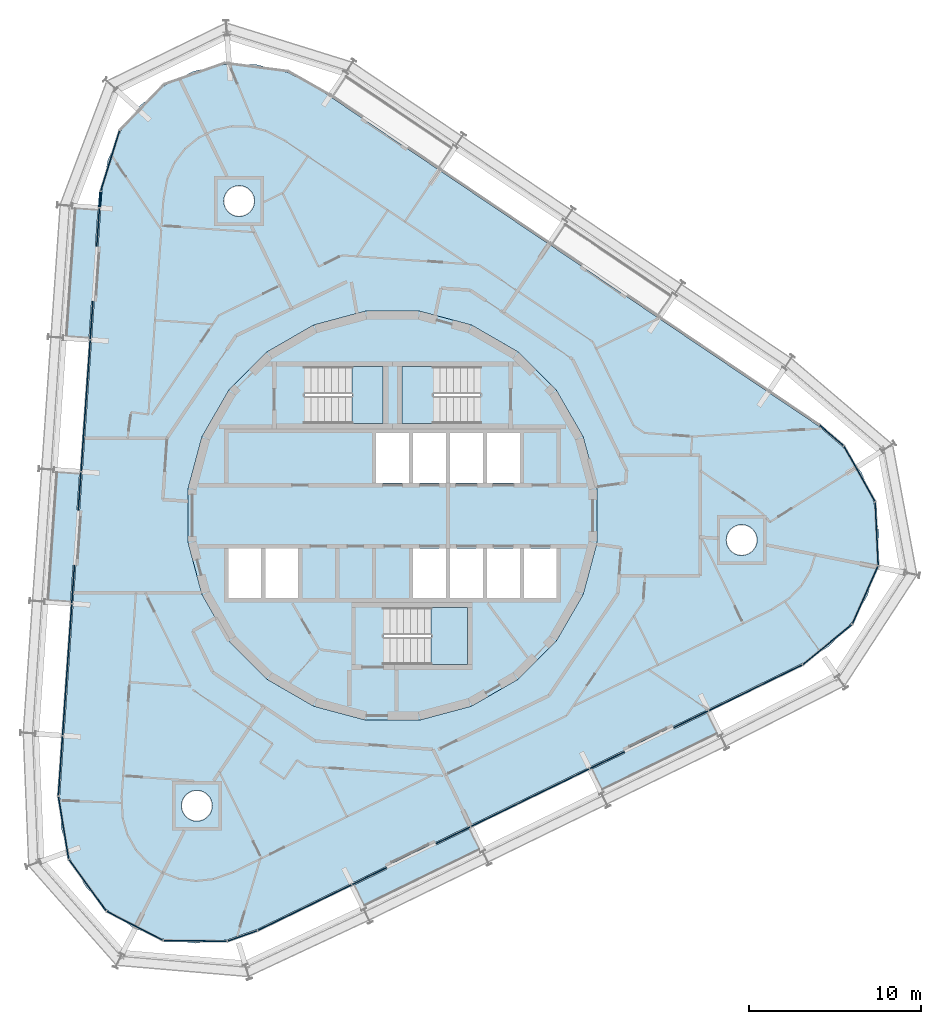
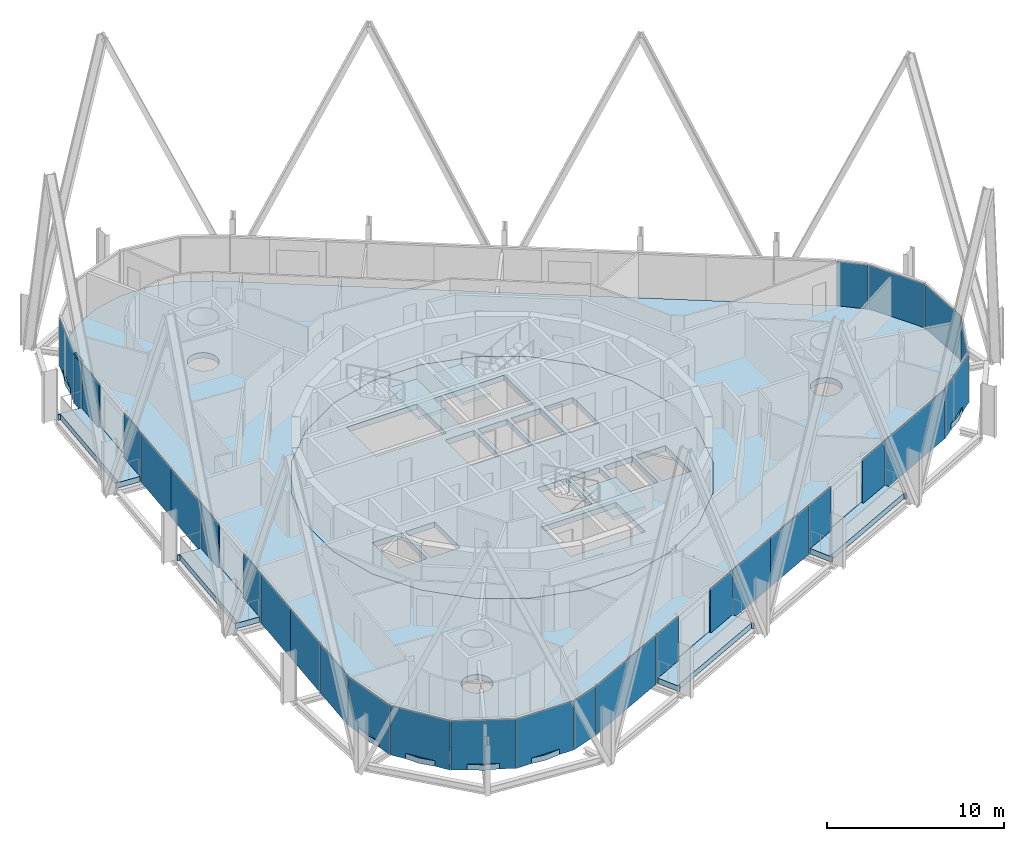
# One storey, part 10 of 18: 29 plates, 9 slabs, 1 member, 8 elements without a shape of their own.
"""IFC4 building model written with IfcOpenShell, lengths in metres."""

from ifc_helpers import new_model, si_unit, direction, frame, origin, origin_2d, place, context, subcontext, project, spatial, polyline, rectangle, outline, extrude, material, layer, layer_set, material_profile, profile_set, type_object, element, aggregate, save


model = new_model("IFC4")

# Units and contexts
model_context = context("Model", 3, precision=1e-05, world=origin(), true_north=direction((0.0, 1.0)))
body_context = subcontext(model_context, "Body", "Model", "MODEL_VIEW")
ifc_project = project(units=[si_unit("LENGTHUNIT", "METRE"), si_unit("AREAUNIT", "SQUARE_METRE"), si_unit("VOLUMEUNIT", "CUBIC_METRE"), si_unit("PLANEANGLEUNIT", "RADIAN"), si_unit("MASSUNIT", "GRAM", prefix="KILO")], contexts=[model_context])

# Site, building, storey
site_placement = place(None, origin())
site = spatial("IfcSite", under=ifc_project, at=site_placement, CompositionType="ELEMENT")
building_placement = place(site_placement, origin())
building = spatial("IfcBuilding", under=site, at=building_placement, Name="Spindle Arch Residences", CompositionType="ELEMENT")
storey_placement = place(building_placement, frame((0.0, 0.0, 202.39990234375)))
storey = spatial("IfcBuildingStorey", under=building, at=storey_placement, Name="L51", CompositionType="ELEMENT", Elevation=202.39990234375)

# Curtain wall, member
ifc_material_1 = material(Name="Aluminium bronze unitised frame with tinted glass", Category="aluminium")
ifc_layer_1 = layer(ifc_material_1, 0.159912109375)
ifc_layer_set_1 = layer_set([ifc_layer_1], Name="CW-D corner wall on the fillet arcs")
curtain_wall_type_1 = type_object("IfcCurtainWallType", Name="CW-D corner wall on the fillet arcs", PredefinedType="NOTDEFINED", material=ifc_layer_set_1)
curtain_wall_1_placement = place(storey_placement, origin())
curtain_wall_1 = element("IfcCurtainWall", 1, at=curtain_wall_1_placement, inside=storey, type_object=curtain_wall_type_1, Name="CW-D L51 run 3", PredefinedType="NOTDEFINED")
ifc_material_2 = material(Name="Aluminium bronze anodised transom", Category="aluminium")
ifc_material_profile = material_profile(ifc_material_2, rectangle(XDim=0.159912109375, YDim=0.1201171875, at=origin_2d()), Name="TR 120x160")
ifc_profile_set = profile_set([ifc_material_profile], Name="Aluminium bronze anodised transom")
member_type = type_object("IfcMemberType", Name="Bronze transom 120x160", PredefinedType="USERDEFINED", material=ifc_profile_set)
member_placement = place(storey_placement, frame((-16.98828125, 18.83447265625, 3.06005859375), z_axis=(-0.069692035463, -0.997568554132, 0.0), x_axis=(0.997568554132, -0.069692035463, 0.0)))
member = element("IfcMember", 2, at=member_placement, type_object=member_type, Name="CW-D transom 05", ObjectType="TRANSOM", PredefinedType="USERDEFINED", context=body_context, shape_type="SweptSolid", body=[
    extrude(rectangle(XDim=0.159912109375, YDim=0.1201171875, at=origin_2d()), origin(), (0.0, 0.0, 1.0), 0.90380859375),
])

# Slabs
ifc_material_3 = material(Name="Concrete C40/50", Category="concrete")
ifc_layer_2 = layer(ifc_material_3, 0.3798828125)
ifc_layer_set_2 = layer_set([ifc_layer_2], Name="Balcony slab 380")
slab_type_1 = type_object("IfcSlabType", Name="Balcony slab 380", PredefinedType="FLOOR", material=ifc_layer_set_2)
slab_1_placement = place(storey_placement, frame((0.0, 0.0, -0.3798828125)))
element("IfcSlab", 3, at=slab_1_placement, inside=storey, type_object=slab_type_1, Name="Balcony L51 bay 1", PredefinedType="FLOOR", context=body_context, shape_type="SweptSolid", body=[
    extrude(outline(polyline([(12.21826171875, -16.1044921875), (12.28564453125, -16.07177734375), (12.2197265625, -15.936767578125), (18.865234375, -12.695556640625), (18.930908203125, -12.83056640625), (18.99853515625, -12.797607421875), (18.34521484375, -11.45849609375), (16.393310546875, -12.410400390625), (16.322998046875, -12.2666015625), (13.447021484375, -13.66943359375), (13.51708984375, -13.813232421875), (11.56494140625, -14.765380859375), (12.21826171875, -16.1044921875)])), origin(), (0.0, 0.0, 1.0), 0.3798828125),
])
slab_2_placement = place(storey_placement, frame((0.0, 0.0, -0.3798828125)))
element("IfcSlab", 4, at=slab_2_placement, inside=storey, type_object=slab_type_1, Name="Balcony L51 bay 13", PredefinedType="FLOOR", context=body_context, shape_type="SweptSolid", body=[
    extrude(outline(polyline([(-18.624755859375, 17.9375), (-18.630126953125, 17.86279296875), (-18.48046875, 17.852294921875), (-18.996337890625, 10.4765625), (-19.145751953125, 10.487060546875), (-19.151123046875, 10.412353515625), (-17.664794921875, 10.308349609375), (-17.51318359375, 12.474853515625), (-17.353515625, 12.4638671875), (-17.13037109375, 15.656005859375), (-17.2900390625, 15.6669921875), (-17.138427734375, 17.833740234375), (-18.624755859375, 17.9375)])), origin(), (0.0, 0.0, 1.0), 0.3798828125),
])
slab_3_placement = place(storey_placement, frame((0.0, 0.0, -0.3798828125)))
element("IfcSlab", 5, at=slab_3_placement, inside=storey, type_object=slab_type_1, Name="Balcony L51 bay 15", PredefinedType="FLOOR", context=body_context, shape_type="SweptSolid", body=[
    extrude(outline(polyline([(-19.6982421875, 2.587646484375), (-19.703369140625, 2.512939453125), (-19.553955078125, 2.50244140625), (-20.069580078125, -4.873291015625), (-20.21923828125, -4.86279296875), (-20.224365234375, -4.937744140625), (-18.738037109375, -5.04150390625), (-18.586669921875, -2.875), (-18.427001953125, -2.88623046875), (-18.203857421875, 0.305908203125), (-18.36328125, 0.317138671875), (-18.2119140625, 2.483642578125), (-19.6982421875, 2.587646484375)])), origin(), (0.0, 0.0, 1.0), 0.3798828125),
])
slab_4_placement = place(storey_placement, frame((0.0, 0.0, -0.3798828125)))
element("IfcSlab", 6, at=slab_4_placement, inside=storey, type_object=slab_type_1, Name="Balcony L51 bay 21", PredefinedType="FLOOR", context=body_context, shape_type="SweptSolid", body=[
    extrude(outline(polyline([(-1.612060546875, -22.849853515625), (-1.54443359375, -22.817138671875), (-1.6103515625, -22.68212890625), (5.03515625, -19.441162109375), (5.100830078125, -19.575927734375), (5.168212890625, -19.54296875), (4.51513671875, -18.203857421875), (2.56298828125, -19.15576171875), (2.492919921875, -19.011962890625), (-0.38330078125, -20.414794921875), (-0.31298828125, -20.55859375), (-2.26513671875, -21.5107421875), (-1.612060546875, -22.849853515625)])), origin(), (0.0, 0.0, 1.0), 0.3798828125),
])
ifc_material_4 = material(Name="Concrete C50/60", Category="concrete")
ifc_layer_3 = layer(ifc_material_4, 0.3798828125)
ifc_layer_set_3 = layer_set([ifc_layer_3], Name="Core floor slab 380")
slab_type_2 = type_object("IfcSlabType", Name="Core floor slab 380", PredefinedType="FLOOR", material=ifc_layer_set_3)
slab_5_placement = place(storey_placement, frame((0.0, 0.0, -0.3798828125)))
element("IfcSlab", 7, at=slab_5_placement, inside=storey, type_object=slab_type_2, Name="Core floor L51", PredefinedType="FLOOR", context=body_context, shape_type="SweptSolid", body=[
    extrude(outline(polyline([(1.56640625, -11.897216796875), (4.59228515625, -11.086669921875), (7.30517578125, -9.520263671875), (9.520263671875, -7.30517578125), (11.086669921875, -4.59228515625), (11.897216796875, -1.56640625), (11.897216796875, 1.56640625), (11.086669921875, 4.59228515625), (9.520263671875, 7.30517578125), (7.30517578125, 9.520263671875), (4.59228515625, 11.086669921875), (1.56640625, 11.897216796875), (-1.56640625, 11.897216796875), (-4.59228515625, 11.086669921875), (-7.30517578125, 9.520263671875), (-9.520263671875, 7.30517578125), (-11.086669921875, 4.59228515625), (-11.897216796875, 1.56640625), (-11.897216796875, -1.56640625), (-11.086669921875, -4.59228515625), (-9.520263671875, -7.30517578125), (-7.30517578125, -9.520263671875), (-4.59228515625, -11.086669921875), (-1.56640625, -11.897216796875), (1.56640625, -11.897216796875)]), holes=[polyline([(-0.949951171875, 1.89990234375), (0.949951171875, 1.89990234375), (0.949951171875, 4.800048828125), (-0.949951171875, 4.800048828125), (-0.949951171875, 1.89990234375)]), polyline([(1.199951171875, 1.89990234375), (3.10009765625, 1.89990234375), (3.10009765625, 4.800048828125), (1.199951171875, 4.800048828125), (1.199951171875, 1.89990234375)]), polyline([(3.35009765625, 1.89990234375), (5.25, 1.89990234375), (5.25, 4.800048828125), (3.35009765625, 4.800048828125), (3.35009765625, 1.89990234375)]), polyline([(5.5, 1.89990234375), (7.39990234375, 1.89990234375), (7.39990234375, 4.800048828125), (5.5, 4.800048828125), (5.5, 1.89990234375)]), polyline([(-9.550048828125, -4.800048828125), (-7.64990234375, -4.800048828125), (-7.64990234375, -1.89990234375), (-9.550048828125, -1.89990234375), (-9.550048828125, -4.800048828125)]), polyline([(-7.39990234375, -4.800048828125), (-5.5, -4.800048828125), (-5.5, -1.89990234375), (-7.39990234375, -1.89990234375), (-7.39990234375, -4.800048828125)]), polyline([(1.199951171875, -4.800048828125), (3.10009765625, -4.800048828125), (3.10009765625, -1.89990234375), (1.199951171875, -1.89990234375), (1.199951171875, -4.800048828125)]), polyline([(3.35009765625, -4.800048828125), (5.25, -4.800048828125), (5.25, -1.89990234375), (3.35009765625, -1.89990234375), (3.35009765625, -4.800048828125)]), polyline([(5.5, -4.800048828125), (7.39990234375, -4.800048828125), (7.39990234375, -1.89990234375), (5.5, -1.89990234375), (5.5, -4.800048828125)]), polyline([(7.64990234375, -4.800048828125), (9.550048828125, -4.800048828125), (9.550048828125, -1.89990234375), (7.64990234375, -1.89990234375), (7.64990234375, -4.800048828125)]), polyline([(5.1298828125, 8.669921875), (0.550048828125, 8.669921875), (0.550048828125, 5.35009765625), (5.1298828125, 5.35009765625), (5.1298828125, 8.669921875)]), polyline([(-5.1298828125, 5.35009765625), (-0.550048828125, 5.35009765625), (-0.550048828125, 8.669921875), (-5.1298828125, 8.669921875), (-5.1298828125, 5.35009765625)]), polyline([(-0.530029296875, -8.669921875), (4.35009765625, -8.669921875), (4.35009765625, -5.35009765625), (-0.530029296875, -5.35009765625), (-0.530029296875, -8.669921875)])]), origin(), (0.0, 0.0, 1.0), 0.3798828125),
])

# Stair, slab
ifc_material_5 = material(Name="Concrete C50/60", Category="concrete")
stair_type = type_object("IfcStairType", Name="Exit stair 16 risers", PredefinedType="HALF_TURN_STAIR", material=ifc_material_5)
stair_1_placement = place(storey_placement, origin())
stair_1 = element("IfcStair", 8, at=stair_1_placement, inside=storey, type_object=stair_type, Name="L51 Exit stair ST1", PredefinedType="HALF_TURN_STAIR")
ifc_material_6 = material(Name="Concrete C50/60", Category="concrete")
ifc_layer_4 = layer(ifc_material_6, 0.219970703125)
ifc_layer_set_4 = layer_set([ifc_layer_4], Name="Exit stair landing 220")
slab_type_3 = type_object("IfcSlabType", Name="Exit stair landing 220", PredefinedType="LANDING", material=ifc_layer_set_4)
slab_6_placement = place(storey_placement, frame((0.0, 0.0, 1.530029296875)))
slab_6 = element("IfcSlab", 9, at=slab_6_placement, type_object=slab_type_3, Name="ST1 landing 1", PredefinedType="LANDING", context=body_context, shape_type="SweptSolid", body=[
    extrude(outline(polyline([(2.3701171875, 8.669921875), (0.550048828125, 8.669921875), (0.550048828125, 5.35009765625), (2.3701171875, 5.35009765625), (2.3701171875, 8.669921875)])), origin(), (0.0, 0.0, 1.0), 0.219970703125),
])
aggregate(stair_1, [slab_6])

stair_2_placement = place(storey_placement, origin())
stair_2 = element("IfcStair", 10, at=stair_2_placement, inside=storey, type_object=stair_type, Name="L51 Exit stair ST2", PredefinedType="HALF_TURN_STAIR")
slab_7_placement = place(storey_placement, frame((0.0, 0.0, 1.530029296875)))
slab_7 = element("IfcSlab", 11, at=slab_7_placement, type_object=slab_type_3, Name="ST2 landing 1", PredefinedType="LANDING", context=body_context, shape_type="SweptSolid", body=[
    extrude(outline(polyline([(-2.3701171875, 5.35009765625), (-0.550048828125, 5.35009765625), (-0.550048828125, 8.669921875), (-2.3701171875, 8.669921875), (-2.3701171875, 5.35009765625)])), origin(), (0.0, 0.0, 1.0), 0.219970703125),
])
aggregate(stair_2, [slab_7])

stair_3_placement = place(storey_placement, origin())
stair_3 = element("IfcStair", 12, at=stair_3_placement, inside=storey, type_object=stair_type, Name="L51 Exit stair ST3", PredefinedType="HALF_TURN_STAIR")
slab_8_placement = place(storey_placement, frame((0.0, 0.0, 1.530029296875)))
slab_8 = element("IfcSlab", 13, at=slab_8_placement, type_object=slab_type_3, Name="ST3 landing 1", PredefinedType="LANDING", context=body_context, shape_type="SweptSolid", body=[
    extrude(outline(polyline([(2.22998046875, -8.669921875), (4.35009765625, -8.669921875), (4.35009765625, -5.35009765625), (2.22998046875, -5.35009765625), (2.22998046875, -8.669921875)])), origin(), (0.0, 0.0, 1.0), 0.219970703125),
])
aggregate(stair_3, [slab_8])

# Slab
ifc_material_7 = material(Name="Concrete C40/50", Category="concrete")
ifc_layer_5 = layer(ifc_material_7, 0.3798828125)
ifc_layer_set_5 = layer_set([ifc_layer_5], Name="Floor slab 380")
slab_type_4 = type_object("IfcSlabType", Name="Floor slab 380", PredefinedType="FLOOR", material=ifc_layer_set_5)
slab_9_placement = place(storey_placement, frame((0.0, 0.0, -0.3798828125)))
element("IfcSlab", 14, at=slab_9_placement, inside=storey, type_object=slab_type_4, Name="Floor slab L51", PredefinedType="FLOOR", context=body_context, shape_type="SweptSolid", body=[
    extrude(outline(polyline([(-9.6318359375, -24.685791015625), (-11.47900390625, -24.8798828125), (-13.3212890625, -24.642822265625), (-15.059326171875, -23.9873046875), (-16.599365234375, -22.948486328125), (-17.858154296875, -21.582763671875), (-18.76806640625, -19.96337890625), (-19.280029296875, -18.177978515625), (-19.366455078125, -16.322509765625), (-16.906494140625, 18.85888671875), (-16.5625, 20.684326171875), (-15.80712890625, 22.381103515625), (-14.6806640625, 23.858154296875), (-13.243896484375, 25.035400390625), (-11.574462890625, 25.849609375), (-9.76220703125, 26.257080078125), (-7.90478515625, 26.2353515625), (-6.1025390625, 25.785888671875), (-4.452392578125, 24.93310546875), (24.785400390625, 5.2119140625), (26.1943359375, 4.00146484375), (27.2861328125, 2.498779296875), (28.001953125, 0.784912109375), (28.30322265625, -1.048095703125), (28.173583984375, -2.901123046875), (27.620361328125, -4.67431640625), (26.6728515625, -6.27197265625), (25.382568359375, -7.608154296875), (23.81884765625, -8.610595703125), (7.969970703125, -16.3408203125), (-7.87890625, -24.07080078125), (-9.6318359375, -24.685791015625)]), holes=[polyline([(7.30517578125, -9.520263671875), (9.520263671875, -7.30517578125), (11.086669921875, -4.59228515625), (11.897216796875, -1.56640625), (11.897216796875, 1.56640625), (11.086669921875, 4.59228515625), (9.520263671875, 7.30517578125), (7.30517578125, 9.520263671875), (4.59228515625, 11.086669921875), (1.56640625, 11.897216796875), (-1.56640625, 11.897216796875), (-4.59228515625, 11.086669921875), (-7.30517578125, 9.520263671875), (-9.520263671875, 7.30517578125), (-11.086669921875, 4.59228515625), (-11.897216796875, 1.56640625), (-11.897216796875, -1.56640625), (-11.086669921875, -4.59228515625), (-9.520263671875, -7.30517578125), (-7.30517578125, -9.520263671875), (-4.59228515625, -11.086669921875), (-1.56640625, -11.897216796875), (1.56640625, -11.897216796875), (4.59228515625, -11.086669921875), (7.30517578125, -9.520263671875)]), polyline([(-10.6376953125, -17.380615234375), (-10.554443359375, -17.224853515625), (-10.50341796875, -17.05615234375), (-10.486083984375, -16.880615234375), (-10.50341796875, -16.704833984375), (-10.554443359375, -16.5361328125), (-10.6376953125, -16.380615234375), (-10.74951171875, -16.244140625), (-10.885986328125, -16.132080078125), (-11.04150390625, -16.049072265625), (-11.21044921875, -15.997802734375), (-11.385986328125, -15.98046875), (-11.5615234375, -15.997802734375), (-11.73046875, -16.049072265625), (-11.885986328125, -16.132080078125), (-12.0224609375, -16.244140625), (-12.13427734375, -16.380615234375), (-12.217529296875, -16.5361328125), (-12.268798828125, -16.704833984375), (-12.285888671875, -16.880615234375), (-12.268798828125, -17.05615234375), (-12.217529296875, -17.224853515625), (-12.13427734375, -17.380615234375), (-12.0224609375, -17.516845703125), (-11.885986328125, -17.62890625), (-11.73046875, -17.7119140625), (-11.5615234375, -17.76318359375), (-11.385986328125, -17.780517578125), (-11.21044921875, -17.76318359375), (-11.04150390625, -17.7119140625), (-10.885986328125, -17.62890625), (-10.74951171875, -17.516845703125), (-10.6376953125, -17.380615234375)]), polyline([(-8.177490234375, 17.80078125), (-8.094482421875, 17.956298828125), (-8.043212890625, 18.125244140625), (-8.02587890625, 18.30078125), (-8.043212890625, 18.476318359375), (-8.094482421875, 18.645263671875), (-8.177490234375, 18.80078125), (-8.28955078125, 18.937255859375), (-8.42578125, 19.049072265625), (-8.58154296875, 19.13232421875), (-8.750244140625, 19.18359375), (-8.92578125, 19.20068359375), (-9.1015625, 19.18359375), (-9.270263671875, 19.13232421875), (-9.42578125, 19.049072265625), (-9.562255859375, 18.937255859375), (-9.67431640625, 18.80078125), (-9.75732421875, 18.645263671875), (-9.80859375, 18.476318359375), (-9.825927734375, 18.30078125), (-9.80859375, 18.125244140625), (-9.75732421875, 17.956298828125), (-9.67431640625, 17.80078125), (-9.562255859375, 17.664306640625), (-9.42578125, 17.552490234375), (-9.270263671875, 17.46923828125), (-9.1015625, 17.418212890625), (-8.92578125, 17.40087890625), (-8.750244140625, 17.418212890625), (-8.58154296875, 17.46923828125), (-8.42578125, 17.552490234375), (-8.28955078125, 17.664306640625), (-8.177490234375, 17.80078125)]), polyline([(20.9482421875, -2.056640625), (21.060302734375, -1.92041015625), (21.143310546875, -1.7646484375), (21.194580078125, -1.595947265625), (21.2119140625, -1.42041015625), (21.194580078125, -1.24462890625), (21.143310546875, -1.075927734375), (21.060302734375, -0.92041015625), (20.9482421875, -0.783935546875), (20.81201171875, -0.672119140625), (20.65625, -0.5888671875), (20.487548828125, -0.53759765625), (20.31201171875, -0.520263671875), (20.13623046875, -0.53759765625), (19.967529296875, -0.5888671875), (19.81201171875, -0.672119140625), (19.675537109375, -0.783935546875), (19.563720703125, -0.92041015625), (19.48046875, -1.075927734375), (19.42919921875, -1.24462890625), (19.411865234375, -1.42041015625), (19.42919921875, -1.595947265625), (19.48046875, -1.7646484375), (19.563720703125, -1.92041015625), (19.675537109375, -2.056640625), (19.81201171875, -2.168701171875), (19.967529296875, -2.251708984375), (20.13623046875, -2.302978515625), (20.31201171875, -2.3203125), (20.487548828125, -2.302978515625), (20.65625, -2.251708984375), (20.81201171875, -2.168701171875), (20.9482421875, -2.056640625)])]), origin(), (0.0, 0.0, 1.0), 0.3798828125),
])

# Curtain wall, plates
curtain_wall_2_placement = place(storey_placement, origin())
curtain_wall_2 = element("IfcCurtainWall", 15, at=curtain_wall_2_placement, inside=storey, type_object=curtain_wall_type_1, Name="CW-D L51 run 1", PredefinedType="NOTDEFINED")
ifc_material_8 = material(Name="Tinted double glazing over aluminium faced non-combustible spandrel zone (K0)", Category="aluminium")
ifc_layer_6 = layer(ifc_material_8, 0.06005859375)
ifc_layer_set_6 = layer_set([ifc_layer_6], Name="Unitised glass panel with E 60 spandrel zone")
plate_type = type_object("IfcPlateType", Name="Unitised glass panel with E 60 spandrel zone", PredefinedType="CURTAIN_PANEL", material=ifc_layer_set_6)
plate_1_placement = place(storey_placement, frame((21.11572265625, -10.01806640625, -0.3798828125), z_axis=(0.0, 0.0, 1.0), x_axis=(0.898794046299, 0.438371146789, 0.0)))
plate_1 = element("IfcPlate", 16, at=plate_1_placement, type_object=plate_type, Name="CW-D unit 00", PredefinedType="CURTAIN_PANEL", context=body_context, shape_type="SweptSolid", body=[
    extrude(rectangle(XDim=6.032958984375, YDim=0.06005859375, at=origin_2d()), origin(), (0.0, 0.0, 1.0), 3.3798828125),
])
plate_2_placement = place(storey_placement, frame((25.295166015625, -7.50146484375, -0.3798828125), z_axis=(0.0, 0.0, 1.0), x_axis=(0.773471595747, 0.633830963722, 0.0)))
plate_2 = element("IfcPlate", 17, at=plate_2_placement, type_object=plate_type, Name="CW-D unit 01", PredefinedType="CURTAIN_PANEL", context=body_context, shape_type="SweptSolid", body=[
    extrude(rectangle(XDim=3.666748046875, YDim=0.06005859375, at=origin_2d()), origin(), (0.0, 0.0, 1.0), 3.3798828125),
])
plate_3_placement = place(storey_placement, frame((27.494384765625, -4.6181640625, -0.3798828125), z_axis=(0.0, 0.0, 1.0), x_axis=(0.406736642422, 0.913545457934, 0.0)))
plate_3 = element("IfcPlate", 18, at=plate_3_placement, type_object=plate_type, Name="CW-D unit 02", PredefinedType="CURTAIN_PANEL", context=body_context, shape_type="SweptSolid", body=[
    extrude(rectangle(XDim=3.666748046875, YDim=0.06005859375, at=origin_2d()), origin(), (0.0, 0.0, 1.0), 3.3798828125),
])
plate_4_placement = place(storey_placement, frame((28.16552734375, -1.054443359375, -0.3798828125), z_axis=(0.0, 0.0, 1.0), x_axis=(-0.046525313877, 0.99891711126, 0.0)))
plate_4 = element("IfcPlate", 19, at=plate_4_placement, type_object=plate_type, Name="CW-D unit 03", PredefinedType="CURTAIN_PANEL", context=body_context, shape_type="SweptSolid", body=[
    extrude(rectangle(XDim=3.666748046875, YDim=0.06005859375, at=origin_2d()), origin(), (0.0, 0.0, 1.0), 3.3798828125),
])
plate_5_placement = place(storey_placement, frame((27.166015625, 2.43115234375, -0.3798828125), z_axis=(0.0, 0.0, 1.0), x_axis=(-0.489889716377, 0.871784414743, 0.0)))
plate_5 = element("IfcPlate", 20, at=plate_5_placement, type_object=plate_type, Name="CW-D unit 04", PredefinedType="CURTAIN_PANEL", context=body_context, shape_type="SweptSolid", body=[
    extrude(rectangle(XDim=3.666748046875, YDim=0.06005859375, at=origin_2d()), origin(), (0.0, 0.0, 1.0), 3.3798828125),
])
plate_6_placement = place(storey_placement, frame((25.541748046875, 4.6669921875, -0.3798828125), z_axis=(0.0, 0.0, 1.0), x_axis=(-0.758513582867, 0.651657229382, 0.0)))
plate_6 = element("IfcPlate", 21, at=plate_6_placement, type_object=plate_type, Name="CW-D unit 05", PredefinedType="CURTAIN_PANEL", context=body_context, shape_type="SweptSolid", body=[
    extrude(rectangle(XDim=1.816162109375, YDim=0.06005859375, at=origin_2d()), origin(), (0.0, 0.0, 1.0), 3.3798828125),
])
aggregate(curtain_wall_2, [plate_1, plate_2, plate_3, plate_4, plate_5, plate_6])

# Plate
plate_7_placement = place(storey_placement, frame((-16.43115234375, 20.643310546875, -0.3798828125), z_axis=(0.0, 0.0, 1.0), x_axis=(-0.297930275218, -0.954587634064, 0.0)))
plate_7 = element("IfcPlate", 22, at=plate_7_placement, type_object=plate_type, Name="CW-D unit 04", PredefinedType="CURTAIN_PANEL", context=body_context, shape_type="SweptSolid", body=[
    extrude(rectangle(XDim=3.666748046875, YDim=0.06005859375, at=origin_2d()), origin(), (0.0, 0.0, 1.0), 3.3798828125),
])

plate_8_placement = place(storey_placement, frame((-17.019775390625, 18.3837890625, -0.3798828125), z_axis=(0.0, 0.0, 1.0), x_axis=(-0.069756473744, -0.99756405026, 0.0)))
plate_8 = element("IfcPlate", 23, at=plate_8_placement, type_object=plate_type, Name="CW-D unit 05", PredefinedType="CURTAIN_PANEL", context=body_context, shape_type="SweptSolid", body=[
    extrude(rectangle(XDim=0.90380859375, YDim=0.06005859375, at=origin_2d()), origin(), (0.0, 0.0, 1.0), 3.3798828125),
])

aggregate(curtain_wall_1, [plate_7, member, plate_8])

# Curtain wall, plates
ifc_material_9 = material(Name="Aluminium bronze unitised frame with tinted glass", Category="aluminium")
ifc_layer_7 = layer(ifc_material_9, 0.159912109375)
ifc_layer_set_7 = layer_set([ifc_layer_7], Name="CW-C typical residential unitised wall")
curtain_wall_type_2 = type_object("IfcCurtainWallType", Name="CW-C typical residential unitised wall", PredefinedType="NOTDEFINED", material=ifc_layer_set_7)
curtain_wall_3_placement = place(storey_placement, origin())
curtain_wall_3 = element("IfcCurtainWall", 24, at=curtain_wall_3_placement, inside=storey, type_object=curtain_wall_type_2, Name="CW-C L51 run 4", PredefinedType="NOTDEFINED")
plate_9_placement = place(storey_placement, frame((-17.1328125, 16.767333984375, -0.3798828125), z_axis=(0.0, 0.0, 1.0), x_axis=(-0.069756473744, -0.99756405026, 0.0)))
plate_9 = element("IfcPlate", 25, at=plate_9_placement, type_object=plate_type, Name="CW-C unit 12L", PredefinedType="CURTAIN_PANEL", context=body_context, shape_type="SweptSolid", body=[
    extrude(rectangle(XDim=2.216796875, YDim=0.06005859375, at=origin_2d()), origin(), (0.0, 0.0, 1.0), 3.3798828125),
])
plate_10_placement = place(storey_placement, frame((-17.5107421875, 11.363525390625, -0.3798828125), z_axis=(0.0, 0.0, 1.0), x_axis=(-0.069756473744, -0.99756405026, 0.0)))
plate_10 = element("IfcPlate", 26, at=plate_10_placement, type_object=plate_type, Name="CW-C unit 12R", PredefinedType="CURTAIN_PANEL", context=body_context, shape_type="SweptSolid", body=[
    extrude(rectangle(XDim=2.216796875, YDim=0.06005859375, at=origin_2d()), origin(), (0.0, 0.0, 1.0), 3.3798828125),
])
plate_11_placement = place(storey_placement, frame((-17.725341796875, 8.294189453125, -0.3798828125), z_axis=(0.0, 0.0, 1.0), x_axis=(-0.069756473744, -0.99756405026, 0.0)))
plate_11 = element("IfcPlate", 27, at=plate_11_placement, type_object=plate_type, Name="CW-C unit 13A", PredefinedType="CURTAIN_PANEL", context=body_context, shape_type="SweptSolid", body=[
    extrude(rectangle(XDim=3.81689453125, YDim=0.06005859375, at=origin_2d()), origin(), (0.0, 0.0, 1.0), 3.3798828125),
])
plate_12_placement = place(storey_placement, frame((-17.99169921875, 4.486572265625, -0.3798828125), z_axis=(0.0, 0.0, 1.0), x_axis=(-0.069756473744, -0.99756405026, 0.0)))
plate_12 = element("IfcPlate", 28, at=plate_12_placement, type_object=plate_type, Name="CW-C unit 13B", PredefinedType="CURTAIN_PANEL", context=body_context, shape_type="SweptSolid", body=[
    extrude(rectangle(XDim=3.81689453125, YDim=0.06005859375, at=origin_2d()), origin(), (0.0, 0.0, 1.0), 3.3798828125),
])
plate_13_placement = place(storey_placement, frame((-18.206298828125, 1.417236328125, -0.3798828125), z_axis=(0.0, 0.0, 1.0), x_axis=(-0.069756473744, -0.99756405026, 0.0)))
plate_13 = element("IfcPlate", 29, at=plate_13_placement, type_object=plate_type, Name="CW-C unit 14L", PredefinedType="CURTAIN_PANEL", context=body_context, shape_type="SweptSolid", body=[
    extrude(rectangle(XDim=2.216796875, YDim=0.06005859375, at=origin_2d()), origin(), (0.0, 0.0, 1.0), 3.3798828125),
])
plate_14_placement = place(storey_placement, frame((-18.583984375, -3.986328125, -0.3798828125), z_axis=(0.0, 0.0, 1.0), x_axis=(-0.069756473744, -0.99756405026, 0.0)))
plate_14 = element("IfcPlate", 30, at=plate_14_placement, type_object=plate_type, Name="CW-C unit 14R", PredefinedType="CURTAIN_PANEL", context=body_context, shape_type="SweptSolid", body=[
    extrude(rectangle(XDim=2.216796875, YDim=0.06005859375, at=origin_2d()), origin(), (0.0, 0.0, 1.0), 3.3798828125),
])
plate_15_placement = place(storey_placement, frame((-18.798828125, -7.0556640625, -0.3798828125), z_axis=(0.0, 0.0, 1.0), x_axis=(-0.069756473744, -0.99756405026, 0.0)))
plate_15 = element("IfcPlate", 31, at=plate_15_placement, type_object=plate_type, Name="CW-C unit 15A", PredefinedType="CURTAIN_PANEL", context=body_context, shape_type="SweptSolid", body=[
    extrude(rectangle(XDim=3.81689453125, YDim=0.06005859375, at=origin_2d()), origin(), (0.0, 0.0, 1.0), 3.3798828125),
])
plate_16_placement = place(storey_placement, frame((-19.06494140625, -10.86328125, -0.3798828125), z_axis=(0.0, 0.0, 1.0), x_axis=(-0.069756473744, -0.99756405026, 0.0)))
plate_16 = element("IfcPlate", 32, at=plate_16_placement, type_object=plate_type, Name="CW-C unit 15B", PredefinedType="CURTAIN_PANEL", context=body_context, shape_type="SweptSolid", body=[
    extrude(rectangle(XDim=3.81689453125, YDim=0.06005859375, at=origin_2d()), origin(), (0.0, 0.0, 1.0), 3.3798828125),
])
aggregate(curtain_wall_3, [plate_9, plate_10, plate_11, plate_12, plate_13, plate_14, plate_15, plate_16])

curtain_wall_4_placement = place(storey_placement, origin())
curtain_wall_4 = element("IfcCurtainWall", 33, at=curtain_wall_4_placement, inside=storey, type_object=curtain_wall_type_1, Name="CW-D L51 run 5", PredefinedType="NOTDEFINED")
plate_17_placement = place(storey_placement, frame((-19.3232421875, -14.556884765625, -0.3798828125), z_axis=(0.0, 0.0, 1.0), x_axis=(-0.069756473744, -0.99756405026, 0.0)))
plate_17 = element("IfcPlate", 34, at=plate_17_placement, type_object=plate_type, Name="CW-D unit 00", PredefinedType="CURTAIN_PANEL", context=body_context, shape_type="SweptSolid", body=[
    extrude(rectangle(XDim=3.468505859375, YDim=0.06005859375, at=origin_2d()), origin(), (0.0, 0.0, 1.0), 3.3798828125),
])
plate_18_placement = place(storey_placement, frame((-19.14404296875, -18.155517578125, -0.3798828125), z_axis=(0.0, 0.0, 1.0), x_axis=(0.162177925821, -0.986761531666, 0.0)))
plate_18 = element("IfcPlate", 35, at=plate_18_placement, type_object=plate_type, Name="CW-D unit 01", PredefinedType="CURTAIN_PANEL", context=body_context, shape_type="SweptSolid", body=[
    extrude(rectangle(XDim=3.666748046875, YDim=0.06005859375, at=origin_2d()), origin(), (0.0, 0.0, 1.0), 3.3798828125),
])
plate_19_placement = place(storey_placement, frame((-17.74658203125, -21.501708984375, -0.3798828125), z_axis=(0.0, 0.0, 1.0), x_axis=(0.587785254679, -0.809016992641, 0.0)))
plate_19 = element("IfcPlate", 36, at=plate_19_placement, type_object=plate_type, Name="CW-D unit 02", PredefinedType="CURTAIN_PANEL", context=body_context, shape_type="SweptSolid", body=[
    extrude(rectangle(XDim=3.666748046875, YDim=0.06005859375, at=origin_2d()), origin(), (0.0, 0.0, 1.0), 3.3798828125),
])
plate_20_placement = place(storey_placement, frame((-14.99609375, -23.86474609375, -0.3798828125), z_axis=(0.0, 0.0, 1.0), x_axis=(0.88835025098, -0.459166453025, 0.0)))
plate_20 = element("IfcPlate", 37, at=plate_20_placement, type_object=plate_type, Name="CW-D unit 03", PredefinedType="CURTAIN_PANEL", context=body_context, shape_type="SweptSolid", body=[
    extrude(rectangle(XDim=3.666748046875, YDim=0.06005859375, at=origin_2d()), origin(), (0.0, 0.0, 1.0), 3.3798828125),
])
plate_21_placement = place(storey_placement, frame((-11.4775390625, -24.7421875, -0.3798828125), z_axis=(0.0, 0.0, 1.0), x_axis=(0.999932308032, -0.011635263346, 0.0)))
plate_21 = element("IfcPlate", 38, at=plate_21_placement, type_object=plate_type, Name="CW-D unit 04", PredefinedType="CURTAIN_PANEL", context=body_context, shape_type="SweptSolid", body=[
    extrude(rectangle(XDim=3.666748046875, YDim=0.06005859375, at=origin_2d()), origin(), (0.0, 0.0, 1.0), 3.3798828125),
])
plate_22_placement = place(storey_placement, frame((-8.72900390625, -24.453369140625, -0.3798828125), z_axis=(0.0, 0.0, 1.0), x_axis=(0.943608504957, 0.33106342198, 0.0)))
plate_22 = element("IfcPlate", 39, at=plate_22_placement, type_object=plate_type, Name="CW-D unit 05", PredefinedType="CURTAIN_PANEL", context=body_context, shape_type="SweptSolid", body=[
    extrude(rectangle(XDim=1.816162109375, YDim=0.06005859375, at=origin_2d()), origin(), (0.0, 0.0, 1.0), 3.3798828125),
])
plate_23_placement = place(storey_placement, frame((-5.105712890625, -22.80712890625, -0.3798828125), z_axis=(0.0, 0.0, 1.0), x_axis=(0.898794046299, 0.438371146789, 0.0)))
plate_23 = element("IfcPlate", 40, at=plate_23_placement, type_object=plate_type, Name="CW-D unit 06", PredefinedType="CURTAIN_PANEL", context=body_context, shape_type="SweptSolid", body=[
    extrude(rectangle(XDim=6.032958984375, YDim=0.06005859375, at=origin_2d()), origin(), (0.0, 0.0, 1.0), 3.3798828125),
])
aggregate(curtain_wall_4, [plate_17, plate_18, plate_19, plate_20, plate_21, plate_22, plate_23])

curtain_wall_5_placement = place(storey_placement, origin())
curtain_wall_5 = element("IfcCurtainWall", 41, at=curtain_wall_5_placement, inside=storey, type_object=curtain_wall_type_2, Name="CW-C L51 run 6", PredefinedType="NOTDEFINED")
plate_24_placement = place(storey_placement, frame((-1.344482421875, -20.97265625, -0.3798828125), z_axis=(0.0, 0.0, 1.0), x_axis=(0.898794046299, 0.438371146789, 0.0)))
plate_24 = element("IfcPlate", 42, at=plate_24_placement, type_object=plate_type, Name="CW-C unit 20L", PredefinedType="CURTAIN_PANEL", context=body_context, shape_type="SweptSolid", body=[
    extrude(rectangle(XDim=2.216796875, YDim=0.06005859375, at=origin_2d()), origin(), (0.0, 0.0, 1.0), 3.3798828125),
])
plate_25_placement = place(storey_placement, frame((3.524169921875, -18.59814453125, -0.3798828125), z_axis=(0.0, 0.0, 1.0), x_axis=(0.898794046299, 0.438371146789, 0.0)))
plate_25 = element("IfcPlate", 43, at=plate_25_placement, type_object=plate_type, Name="CW-C unit 20R", PredefinedType="CURTAIN_PANEL", context=body_context, shape_type="SweptSolid", body=[
    extrude(rectangle(XDim=2.216796875, YDim=0.06005859375, at=origin_2d()), origin(), (0.0, 0.0, 1.0), 3.3798828125),
])
plate_26_placement = place(storey_placement, frame((6.289794921875, -17.249267578125, -0.3798828125), z_axis=(0.0, 0.0, 1.0), x_axis=(0.898794046299, 0.438371146789, 0.0)))
plate_26 = element("IfcPlate", 44, at=plate_26_placement, type_object=plate_type, Name="CW-C unit 21A", PredefinedType="CURTAIN_PANEL", context=body_context, shape_type="SweptSolid", body=[
    extrude(rectangle(XDim=3.81689453125, YDim=0.06005859375, at=origin_2d()), origin(), (0.0, 0.0, 1.0), 3.3798828125),
])
plate_27_placement = place(storey_placement, frame((9.72021484375, -15.576171875, -0.3798828125), z_axis=(0.0, 0.0, 1.0), x_axis=(0.898794046299, 0.438371146789, 0.0)))
plate_27 = element("IfcPlate", 45, at=plate_27_placement, type_object=plate_type, Name="CW-C unit 21B", PredefinedType="CURTAIN_PANEL", context=body_context, shape_type="SweptSolid", body=[
    extrude(rectangle(XDim=3.81689453125, YDim=0.06005859375, at=origin_2d()), origin(), (0.0, 0.0, 1.0), 3.3798828125),
])
plate_28_placement = place(storey_placement, frame((12.48583984375, -14.227294921875, -0.3798828125), z_axis=(0.0, 0.0, 1.0), x_axis=(0.898794046299, 0.438371146789, 0.0)))
plate_28 = element("IfcPlate", 46, at=plate_28_placement, type_object=plate_type, Name="CW-C unit 00L", PredefinedType="CURTAIN_PANEL", context=body_context, shape_type="SweptSolid", body=[
    extrude(rectangle(XDim=2.216796875, YDim=0.06005859375, at=origin_2d()), origin(), (0.0, 0.0, 1.0), 3.3798828125),
])
plate_29_placement = place(storey_placement, frame((17.3544921875, -11.852783203125, -0.3798828125), z_axis=(0.0, 0.0, 1.0), x_axis=(0.898794046299, 0.438371146789, 0.0)))
plate_29 = element("IfcPlate", 47, at=plate_29_placement, type_object=plate_type, Name="CW-C unit 00R", PredefinedType="CURTAIN_PANEL", context=body_context, shape_type="SweptSolid", body=[
    extrude(rectangle(XDim=2.216796875, YDim=0.06005859375, at=origin_2d()), origin(), (0.0, 0.0, 1.0), 3.3798828125),
])
aggregate(curtain_wall_5, [plate_24, plate_25, plate_26, plate_27, plate_28, plate_29])

save(model, "model.ifc")
